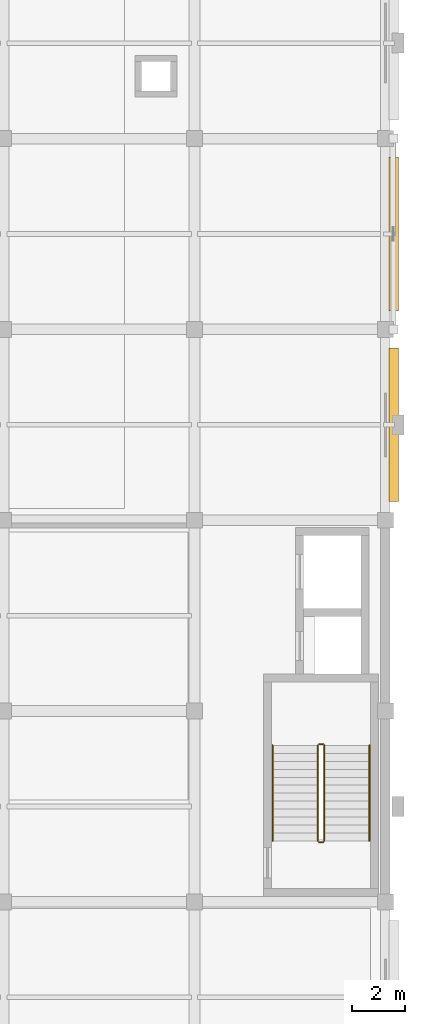
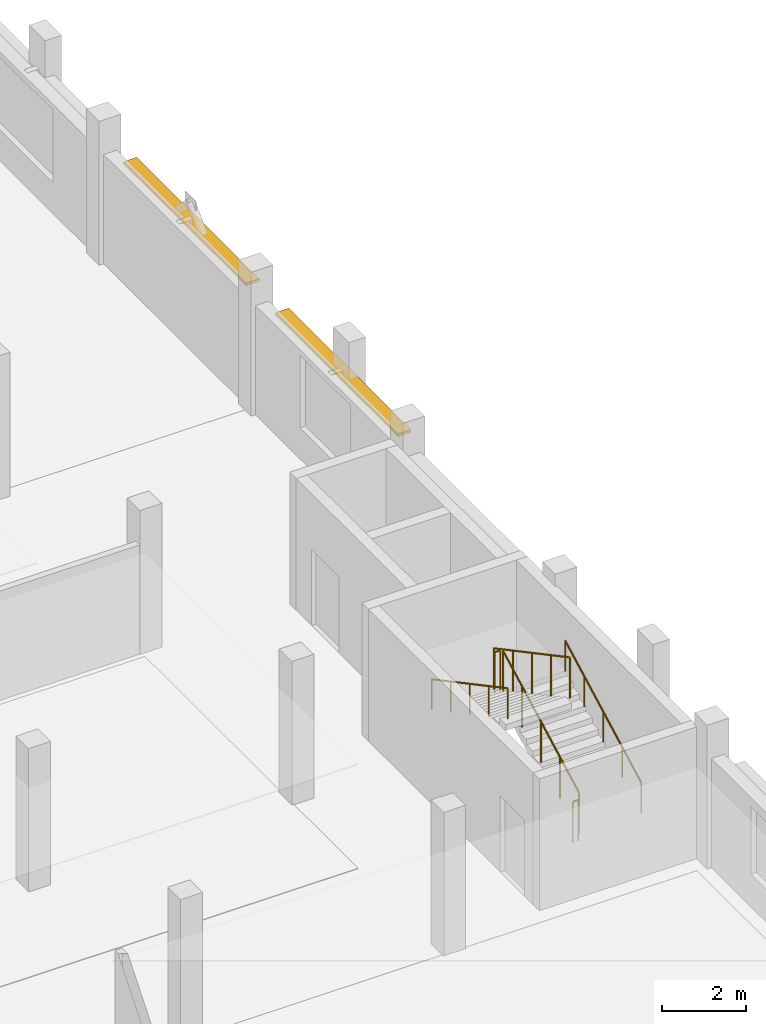
# One storey, part 50 of 51: 6 railings, 2 shading devices.
"""IFC4 building model written with IfcOpenShell, lengths in metres."""

from ifc_helpers import new_model, si_unit, direction, frame, origin, origin_2d, place, context, subcontext, project, spatial, rectangle, circle, extrude, material, layer, layer_set, type_object, element, save


model = new_model("IFC4")

# Units and contexts
model_context = context("Model", 3, precision=1e-05, world=origin(), true_north=direction((0.0, 1.0)))
body_context = subcontext(model_context, "Body", "Model", "MODEL_VIEW")
ifc_project = project(units=[si_unit("LENGTHUNIT", "METRE"), si_unit("AREAUNIT", "SQUARE_METRE"), si_unit("VOLUMEUNIT", "CUBIC_METRE"), si_unit("PLANEANGLEUNIT", "RADIAN"), si_unit("MASSUNIT", "GRAM", prefix="KILO")], contexts=[model_context])

# Site, building, storey
site_placement = place(None, origin())
site = spatial("IfcSite", under=ifc_project, at=site_placement, CompositionType="ELEMENT")
building_placement = place(site_placement, origin())
building = spatial("IfcBuilding", under=site, at=building_placement, Name="Valkovuoma Quantum and Materials Research Institute", CompositionType="ELEMENT")
storey_placement = place(building_placement, frame((0.0, 0.0, 17.280029296875)))
storey = spatial("IfcBuildingStorey", under=building, at=storey_placement, Name="L04", CompositionType="ELEMENT", Elevation=17.280029296875)

# Railings
ifc_material_1 = material(Name="Painted steel stair balustrade", Category="steel")
railing_type_1 = type_object("IfcRailingType", Name="Rail-GRD-ST", PredefinedType="BALUSTRADE", material=ifc_material_1)
railing_1_placement = place(storey_placement, frame((163.300048828125, 59.89990234375, 0.159912109375)))
element("IfcRailing", 1, at=railing_1_placement, inside=storey, type_object=railing_type_1, Name="L04 ST-3 stair guard 1", PredefinedType="BALUSTRADE", context=body_context, shape_type="SweptSolid", body=[
    extrude(circle(Radius=0.02392578125, at=origin_2d()), frame((0.0, 0.0, 1.17578125), z_axis=(0.0, 0.882341346394, 0.470609974867), x_axis=(-1.0, 0.0, 0.0)), (0.0, 0.0, 1.0), 4.080078125),
    extrude(circle(Radius=0.02099609375, at=origin_2d()), origin(), (0.0, 0.0, 1.0), 1.15185546875),
    extrude(circle(Radius=0.02099609375, at=origin_2d()), frame((0.0, 0.89990234375, 0.47998046875)), (0.0, 0.0, 1.0), 1.15185546875),
    extrude(circle(Radius=0.02099609375, at=origin_2d()), frame((0.0, 1.800048828125, 0.9599609375)), (0.0, 0.0, 1.0), 1.15185546875),
    extrude(circle(Radius=0.02099609375, at=origin_2d()), frame((0.0, 2.7001953125, 1.440185546875)), (0.0, 0.0, 1.0), 1.15185546875),
    extrude(circle(Radius=0.02099609375, at=origin_2d()), frame((0.0, 3.60009765625, 1.920166015625)), (0.0, 0.0, 1.0), 1.15185546875),
])
railing_2_placement = place(storey_placement, frame((163.25, 63.550048828125, 2.080078125)))
element("IfcRailing", 2, at=railing_2_placement, inside=storey, type_object=railing_type_1, Name="L04 ST-3 stair guard 2", PredefinedType="BALUSTRADE", context=body_context, shape_type="SweptSolid", body=[
    extrude(circle(Radius=0.02392578125, at=origin_2d()), frame((0.0, 0.0, 1.17578125), z_axis=(-1.0, 0.0, 0.0), x_axis=(0.0, -1.0, 0.0)), (0.0, 0.0, 1.0), 0.14990234375),
    extrude(circle(Radius=0.02099609375, at=origin_2d()), origin(), (0.0, 0.0, 1.0), 1.15185546875),
    extrude(circle(Radius=0.02099609375, at=origin_2d()), frame((-0.14990234375, 0.0, 0.0)), (0.0, 0.0, 1.0), 1.15185546875),
])
railing_3_placement = place(storey_placement, frame((163.050048828125, 63.5, 2.239990234375)))
element("IfcRailing", 3, at=railing_3_placement, inside=storey, type_object=railing_type_1, Name="L04 ST-3 stair guard 3", PredefinedType="BALUSTRADE", context=body_context, shape_type="SweptSolid", body=[
    extrude(circle(Radius=0.02392578125, at=origin_2d()), frame((0.0, 0.0, 1.17578125), z_axis=(0.0, -0.882366192074, 0.470563389019), x_axis=(1.0, 0.0, 0.0)), (0.0, 0.0, 1.0), 4.080078125),
    extrude(circle(Radius=0.02099609375, at=origin_2d()), origin(), (0.0, 0.0, 1.0), 1.15185546875),
    extrude(circle(Radius=0.02099609375, at=origin_2d()), frame((0.0, -0.89990234375, 0.47998046875)), (0.0, 0.0, 1.0), 1.15185546875),
    extrude(circle(Radius=0.02099609375, at=origin_2d()), frame((0.0, -1.800048828125, 0.9599609375)), (0.0, 0.0, 1.0), 1.15185546875),
    extrude(circle(Radius=0.02099609375, at=origin_2d()), frame((0.0, -2.7001953125, 1.43994140625)), (0.0, 0.0, 1.0), 1.15185546875),
    extrude(circle(Radius=0.02099609375, at=origin_2d()), frame((0.0, -3.60009765625, 1.919921875)), (0.0, 0.0, 1.0), 1.15185546875),
])
railing_4_placement = place(storey_placement, frame((163.25, 59.85009765625, 0.0)))
element("IfcRailing", 4, at=railing_4_placement, inside=storey, type_object=railing_type_1, Name="L04 ST-3 stair guard 4", PredefinedType="BALUSTRADE", context=body_context, shape_type="SweptSolid", body=[
    extrude(circle(Radius=0.02392578125, at=origin_2d()), frame((0.0, 0.0, 1.17578125), z_axis=(-1.0, 0.0, 0.0), x_axis=(0.0, -1.0, 0.0)), (0.0, 0.0, 1.0), 0.14990234375),
    extrude(circle(Radius=0.02099609375, at=origin_2d()), origin(), (0.0, 0.0, 1.0), 1.15185546875),
    extrude(circle(Radius=0.02099609375, at=origin_2d()), frame((-0.14990234375, 0.0, 0.0)), (0.0, 0.0, 1.0), 1.15185546875),
])
ifc_material_2 = material(Name="Brushed stainless steel handrail", Category="steel")
railing_type_2 = type_object("IfcRailingType", Name="Rail-HR-ST", PredefinedType="HANDRAIL", material=ifc_material_2)
railing_5_placement = place(storey_placement, frame((165.0, 59.89990234375, 0.159912109375)))
element("IfcRailing", 5, at=railing_5_placement, inside=storey, type_object=railing_type_2, Name="L04 ST-3 stair handrail 1", PredefinedType="HANDRAIL", context=body_context, shape_type="SweptSolid", body=[
    extrude(circle(Radius=0.02392578125, at=origin_2d()), frame((0.0, 0.0, 0.8759765625), z_axis=(0.0, 0.882341346394, 0.470609974867), x_axis=(-1.0, 0.0, 0.0)), (0.0, 0.0, 1.0), 4.080078125),
    extrude(circle(Radius=0.02099609375, at=origin_2d()), origin(), (0.0, 0.0, 1.0), 0.851806640625),
    extrude(circle(Radius=0.02099609375, at=origin_2d()), frame((0.0, 0.89990234375, 0.47998046875)), (0.0, 0.0, 1.0), 0.851806640625),
    extrude(circle(Radius=0.02099609375, at=origin_2d()), frame((0.0, 1.800048828125, 0.9599609375)), (0.0, 0.0, 1.0), 0.851806640625),
    extrude(circle(Radius=0.02099609375, at=origin_2d()), frame((0.0, 2.7001953125, 1.440185546875)), (0.0, 0.0, 1.0), 0.851806640625),
    extrude(circle(Radius=0.02099609375, at=origin_2d()), frame((0.0, 3.60009765625, 1.920166015625)), (0.0, 0.0, 1.0), 0.851806640625),
])
railing_6_placement = place(storey_placement, frame((161.35009765625, 63.5, 2.239990234375)))
element("IfcRailing", 6, at=railing_6_placement, inside=storey, type_object=railing_type_2, Name="L04 ST-3 stair handrail 2", PredefinedType="HANDRAIL", context=body_context, shape_type="SweptSolid", body=[
    extrude(circle(Radius=0.02392578125, at=origin_2d()), frame((0.0, 0.0, 0.8759765625), z_axis=(0.0, -0.882366192074, 0.470563389019), x_axis=(1.0, 0.0, 0.0)), (0.0, 0.0, 1.0), 4.080078125),
    extrude(circle(Radius=0.02099609375, at=origin_2d()), origin(), (0.0, 0.0, 1.0), 0.851806640625),
    extrude(circle(Radius=0.02099609375, at=origin_2d()), frame((0.0, -0.89990234375, 0.47998046875)), (0.0, 0.0, 1.0), 0.851806640625),
    extrude(circle(Radius=0.02099609375, at=origin_2d()), frame((0.0, -1.800048828125, 0.9599609375)), (0.0, 0.0, 1.0), 0.851806640625),
    extrude(circle(Radius=0.02099609375, at=origin_2d()), frame((0.0, -2.7001953125, 1.43994140625)), (0.0, 0.0, 1.0), 0.851806640625),
    extrude(circle(Radius=0.02099609375, at=origin_2d()), frame((0.0, -3.60009765625, 1.919921875)), (0.0, 0.0, 1.0), 0.851806640625),
])

# Shading devices
ifc_material_3 = material(Name="Powder-coated white perforated architectural aluminium panel", Category="aluminium")
ifc_layer_1 = layer(ifc_material_3, 0.050048828125)
ifc_layer_set_1 = layer_set([ifc_layer_1], Name="Powder-coated white perforated architectural aluminium panel")
shading_device_type_1 = type_object("IfcShadingDeviceType", Name="Screen-SCR-DENSE", PredefinedType="JALOUSIE", material=ifc_layer_set_1)
shading_device_1_placement = place(storey_placement, frame((165.919921875, 82.800048828125, 3.010009765625), z_axis=(0.0, 0.0, 1.0), x_axis=(1.0, 0.0, 0.0)))
element("IfcShadingDevice", 7, at=shading_device_1_placement, inside=storey, type_object=shading_device_type_1, Name="L04 wet-lab solar sunshade E-0078", PredefinedType="JALOUSIE", context=body_context, shape_type="SweptSolid", body=[
    extrude(rectangle(XDim=0.360107421875, YDim=5.800048828125, at=origin_2d()), origin(), (0.0, 0.0, 1.0), 0.080078125),
])
ifc_material_4 = material(Name="Powder-coated white perforated architectural aluminium panel", Category="aluminium")
ifc_layer_2 = layer(ifc_material_4, 0.050048828125)
ifc_layer_set_2 = layer_set([ifc_layer_2], Name="Powder-coated white perforated architectural aluminium panel")
shading_device_type_2 = type_object("IfcShadingDeviceType", Name="Screen-SCR-SPARSE", PredefinedType="JALOUSIE", material=ifc_layer_set_2)
shading_device_2_placement = place(storey_placement, frame((165.919921875, 75.60009765625, 3.010009765625), z_axis=(0.0, 0.0, 1.0), x_axis=(1.0, 0.0, 0.0)))
element("IfcShadingDevice", 8, at=shading_device_2_placement, inside=storey, type_object=shading_device_type_2, Name="L04 wet-lab solar sunshade E-0076", PredefinedType="JALOUSIE", context=body_context, shape_type="SweptSolid", body=[
    extrude(rectangle(XDim=0.360107421875, YDim=5.800048828125, at=origin_2d()), origin(), (0.0, 0.0, 1.0), 0.080078125),
])

save(model, "model.ifc")
